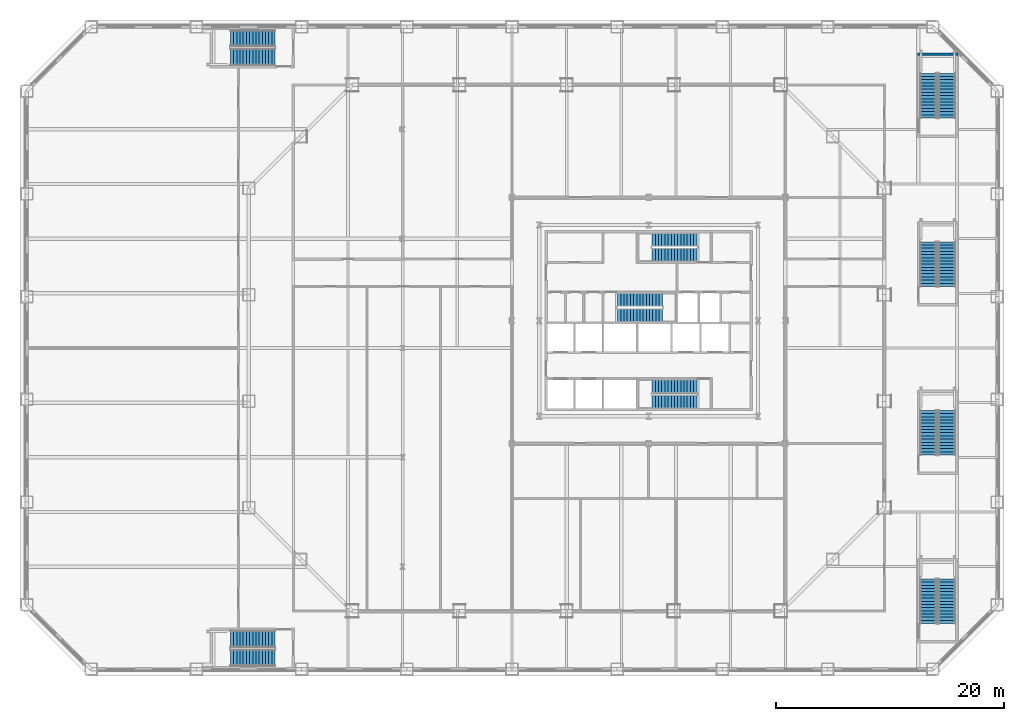
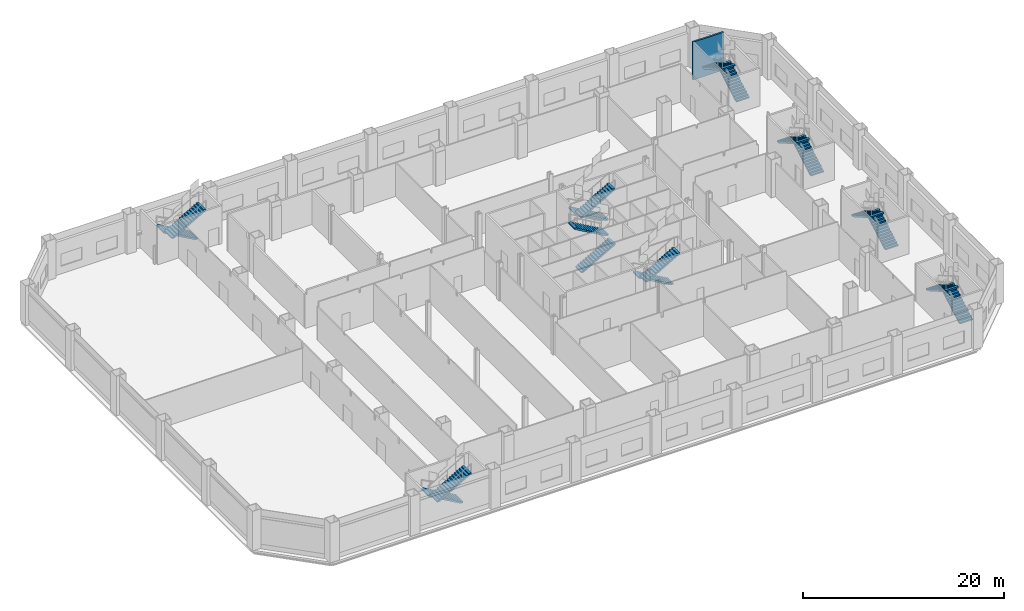
# One storey, part 19 of 25: 18 stair flights, 1 wall, 9 elements without a shape of their own.
"""IFC4 building model written with IfcOpenShell, lengths in metres."""

from ifc_helpers import new_model, si_unit, direction, frame, frame_2d, origin, place, context, subcontext, project, spatial, polyline, rectangle, outline, extrude, material, layer, layer_set, type_object, element, aggregate, save


model = new_model("IFC4")

# Units and contexts
model_context = context("Model", 3, precision=1e-05, world=origin(), true_north=direction((0.0, 1.0)))
body_context = subcontext(model_context, "Body", "Model", "MODEL_VIEW")
ifc_project = project(units=[si_unit("LENGTHUNIT", "METRE"), si_unit("AREAUNIT", "SQUARE_METRE"), si_unit("VOLUMEUNIT", "CUBIC_METRE"), si_unit("PLANEANGLEUNIT", "RADIAN"), si_unit("MASSUNIT", "GRAM", prefix="KILO")], contexts=[model_context])

# Site, building, storey
site_placement = place(None, origin())
site = spatial("IfcSite", under=ifc_project, at=site_placement, CompositionType="ELEMENT")
building_placement = place(site_placement, origin())
building = spatial("IfcBuilding", under=site, at=building_placement, Name="Cairn Pilgrim Tower", CompositionType="ELEMENT")
storey_placement = place(building_placement, frame((0.0, 0.0, 30.60009765625)))
storey = spatial("IfcBuildingStorey", under=building, at=storey_placement, Name="L05", CompositionType="ELEMENT", Elevation=30.60009765625)

# Wall
ifc_material_1 = material(Name="Concrete C35/45", Category="concrete")
ifc_layer = layer(ifc_material_1, 0.199951171875)
ifc_layer_set = layer_set([ifc_layer], Name="PODIUM STAIR WALL 200 EI 120")
wall_type = type_object("IfcWallType", Name="PODIUM STAIR WALL 200 EI 120", PredefinedType="SOLIDWALL", material=ifc_layer_set)
wall_placement = place(storey_placement, frame((30.800048828125, 25.800048828125, 0.0), z_axis=(0.0, 0.0, 1.0), x_axis=(1.0, 0.0, 0.0)))
element("IfcWall", 1, at=wall_placement, inside=storey, type_object=wall_type, Name="STAIR SHAFT WALL W077", PredefinedType="SOLIDWALL", context=body_context, shape_type="SweptSolid", body=[
    extrude(rectangle(XDim=3.550048828125, YDim=0.199951171875, at=frame_2d((1.77490234375, 0.0))), origin(), (0.0, 0.0, 1.0), 4.599853515625),
])

# Stair, stair flights
stair_type_1 = type_object("IfcStairType", Name="PODIUM EXIT STAIR 1500", PredefinedType="HALF_TURN_STAIR", material=ifc_material_1)
stair_1_placement = place(storey_placement, origin())
stair_1 = element("IfcStair", 2, at=stair_1_placement, inside=storey, type_object=stair_type_1, Name="L05 Exit Stair Hn", PredefinedType="HALF_TURN_STAIR")
stair_flight_type_1 = type_object("IfcStairFlightType", Name="PODIUM STAIR FLIGHT 1500", PredefinedType="STRAIGHT", material=ifc_material_1)
stair_flight_1_placement = place(storey_placement, frame((-25.60009765625, 27.199951171875, 0.0), z_axis=(0.0, 0.0, 1.0), x_axis=(-1.0, 0.0, 0.0)))
stair_flight_1 = element("IfcStairFlight", 3, at=stair_flight_1_placement, type_object=stair_flight_type_1, Name="ST-HN flight 1", NumberOfRisers=15, NumberOfTreads=14, PredefinedType="STRAIGHT", RiserHeight=0.16, TreadLength=0.28, context=body_context, shape_type="SweptSolid", body=[
    extrude(outline(polyline([(0.0, 0.0), (0.0, 0.159912109375), (0.280029296875, 0.159912109375), (0.280029296875, 0.320068359375), (0.56005859375, 0.320068359375), (0.56005859375, 0.47998046875), (0.840087890625, 0.47998046875), (0.840087890625, 0.639892578125), (1.1201171875, 0.639892578125), (1.1201171875, 0.800048828125), (1.39990234375, 0.800048828125), (1.39990234375, 0.9599609375), (1.679931640625, 0.9599609375), (1.679931640625, 1.1201171875), (1.9599609375, 1.1201171875), (1.9599609375, 1.280029296875), (2.239990234375, 1.280029296875), (2.239990234375, 1.43994140625), (2.52001953125, 1.43994140625), (2.52001953125, 1.60009765625), (2.800048828125, 1.60009765625), (2.800048828125, 1.760009765625), (3.080078125, 1.760009765625), (3.080078125, 1.919921875), (3.360107421875, 1.919921875), (3.360107421875, 2.080078125), (3.639892578125, 2.080078125), (3.639892578125, 2.239990234375), (3.919921875, 2.239990234375), (3.919921875, 2.39990234375), (3.919921875, 2.0673828125), (0.30224609375, 0.0), (0.0, 0.0)])), frame((0.0, 0.75, 0.0), z_axis=(0.0, -1.0, 0.0), x_axis=(1.0, 0.0, 0.0)), (0.0, 0.0, 1.0), 1.5),
])
stair_flight_2_placement = place(storey_placement, frame((-29.52001953125, 25.550048828125, 2.39990234375), z_axis=(0.0, 0.0, 1.0), x_axis=(1.0, 0.0, 0.0)))
stair_flight_2 = element("IfcStairFlight", 4, at=stair_flight_2_placement, type_object=stair_flight_type_1, Name="ST-HN flight 2", NumberOfRisers=15, NumberOfTreads=14, PredefinedType="STRAIGHT", RiserHeight=0.16, TreadLength=0.28, context=body_context, shape_type="SweptSolid", body=[
    extrude(outline(polyline([(0.0, 0.0), (0.0, 0.159912109375), (0.280029296875, 0.159912109375), (0.280029296875, 0.320068359375), (0.56005859375, 0.320068359375), (0.56005859375, 0.47998046875), (0.840087890625, 0.47998046875), (0.840087890625, 0.639892578125), (1.1201171875, 0.639892578125), (1.1201171875, 0.800048828125), (1.39990234375, 0.800048828125), (1.39990234375, 0.9599609375), (1.679931640625, 0.9599609375), (1.679931640625, 1.1201171875), (1.9599609375, 1.1201171875), (1.9599609375, 1.280029296875), (2.239990234375, 1.280029296875), (2.239990234375, 1.43994140625), (2.52001953125, 1.43994140625), (2.52001953125, 1.60009765625), (2.800048828125, 1.60009765625), (2.800048828125, 1.760009765625), (3.080078125, 1.760009765625), (3.080078125, 1.919921875), (3.360107421875, 1.919921875), (3.360107421875, 2.080078125), (3.639892578125, 2.080078125), (3.639892578125, 2.239990234375), (3.919921875, 2.239990234375), (3.919921875, 2.39990234375), (3.919921875, 2.0673828125), (0.30224609375, 0.0), (0.0, 0.0)])), frame((0.0, 0.75, 0.0), z_axis=(0.0, -1.0, 0.0), x_axis=(1.0, 0.0, 0.0)), (0.0, 0.0, 1.0), 1.5),
])
aggregate(stair_1, [stair_flight_1, stair_flight_2])

stair_2_placement = place(storey_placement, origin())
stair_2 = element("IfcStair", 5, at=stair_2_placement, inside=storey, type_object=stair_type_1, Name="L05 Exit Stair Hs", PredefinedType="HALF_TURN_STAIR")
stair_flight_3_placement = place(storey_placement, frame((-25.60009765625, -25.550048828125, 0.0), z_axis=(0.0, 0.0, 1.0), x_axis=(-1.0, 0.0, 0.0)))
stair_flight_3 = element("IfcStairFlight", 6, at=stair_flight_3_placement, type_object=stair_flight_type_1, Name="ST-HS flight 1", NumberOfRisers=15, NumberOfTreads=14, PredefinedType="STRAIGHT", RiserHeight=0.16, TreadLength=0.28, context=body_context, shape_type="SweptSolid", body=[
    extrude(outline(polyline([(0.0, 0.0), (0.0, 0.159912109375), (0.280029296875, 0.159912109375), (0.280029296875, 0.320068359375), (0.56005859375, 0.320068359375), (0.56005859375, 0.47998046875), (0.840087890625, 0.47998046875), (0.840087890625, 0.639892578125), (1.1201171875, 0.639892578125), (1.1201171875, 0.800048828125), (1.39990234375, 0.800048828125), (1.39990234375, 0.9599609375), (1.679931640625, 0.9599609375), (1.679931640625, 1.1201171875), (1.9599609375, 1.1201171875), (1.9599609375, 1.280029296875), (2.239990234375, 1.280029296875), (2.239990234375, 1.43994140625), (2.52001953125, 1.43994140625), (2.52001953125, 1.60009765625), (2.800048828125, 1.60009765625), (2.800048828125, 1.760009765625), (3.080078125, 1.760009765625), (3.080078125, 1.919921875), (3.360107421875, 1.919921875), (3.360107421875, 2.080078125), (3.639892578125, 2.080078125), (3.639892578125, 2.239990234375), (3.919921875, 2.239990234375), (3.919921875, 2.39990234375), (3.919921875, 2.0673828125), (0.30224609375, 0.0), (0.0, 0.0)])), frame((0.0, 0.75, 0.0), z_axis=(0.0, -1.0, 0.0), x_axis=(1.0, 0.0, 0.0)), (0.0, 0.0, 1.0), 1.5),
])
stair_flight_4_placement = place(storey_placement, frame((-29.52001953125, -27.199951171875, 2.39990234375), z_axis=(0.0, 0.0, 1.0), x_axis=(1.0, 0.0, 0.0)))
stair_flight_4 = element("IfcStairFlight", 7, at=stair_flight_4_placement, type_object=stair_flight_type_1, Name="ST-HS flight 2", NumberOfRisers=15, NumberOfTreads=14, PredefinedType="STRAIGHT", RiserHeight=0.16, TreadLength=0.28, context=body_context, shape_type="SweptSolid", body=[
    extrude(outline(polyline([(0.0, 0.0), (0.0, 0.159912109375), (0.280029296875, 0.159912109375), (0.280029296875, 0.320068359375), (0.56005859375, 0.320068359375), (0.56005859375, 0.47998046875), (0.840087890625, 0.47998046875), (0.840087890625, 0.639892578125), (1.1201171875, 0.639892578125), (1.1201171875, 0.800048828125), (1.39990234375, 0.800048828125), (1.39990234375, 0.9599609375), (1.679931640625, 0.9599609375), (1.679931640625, 1.1201171875), (1.9599609375, 1.1201171875), (1.9599609375, 1.280029296875), (2.239990234375, 1.280029296875), (2.239990234375, 1.43994140625), (2.52001953125, 1.43994140625), (2.52001953125, 1.60009765625), (2.800048828125, 1.60009765625), (2.800048828125, 1.760009765625), (3.080078125, 1.760009765625), (3.080078125, 1.919921875), (3.360107421875, 1.919921875), (3.360107421875, 2.080078125), (3.639892578125, 2.080078125), (3.639892578125, 2.239990234375), (3.919921875, 2.239990234375), (3.919921875, 2.39990234375), (3.919921875, 2.0673828125), (0.30224609375, 0.0), (0.0, 0.0)])), frame((0.0, 0.75, 0.0), z_axis=(0.0, -1.0, 0.0), x_axis=(1.0, 0.0, 0.0)), (0.0, 0.0, 1.0), 1.5),
])
aggregate(stair_2, [stair_flight_3, stair_flight_4])

stair_3_placement = place(storey_placement, origin())
stair_3 = element("IfcStair", 8, at=stair_3_placement, inside=storey, type_object=stair_type_1, Name="L05 Exit Stair Es1", PredefinedType="HALF_TURN_STAIR")
stair_flight_5_placement = place(storey_placement, frame((33.39990234375, -24.199951171875, 0.0), z_axis=(0.0, 0.0, 1.0), x_axis=(0.0, 1.0, 0.0)))
stair_flight_5 = element("IfcStairFlight", 9, at=stair_flight_5_placement, type_object=stair_flight_type_1, Name="ST-ES1 flight 1", NumberOfRisers=15, NumberOfTreads=14, PredefinedType="STRAIGHT", RiserHeight=0.16, TreadLength=0.28, context=body_context, shape_type="SweptSolid", body=[
    extrude(outline(polyline([(0.0, 0.0), (0.0, 0.159912109375), (0.280029296875, 0.159912109375), (0.280029296875, 0.320068359375), (0.56005859375, 0.320068359375), (0.56005859375, 0.47998046875), (0.840087890625, 0.47998046875), (0.840087890625, 0.639892578125), (1.1201171875, 0.639892578125), (1.1201171875, 0.800048828125), (1.39990234375, 0.800048828125), (1.39990234375, 0.9599609375), (1.679931640625, 0.9599609375), (1.679931640625, 1.1201171875), (1.9599609375, 1.1201171875), (1.9599609375, 1.280029296875), (2.239990234375, 1.280029296875), (2.239990234375, 1.43994140625), (2.52001953125, 1.43994140625), (2.52001953125, 1.60009765625), (2.800048828125, 1.60009765625), (2.800048828125, 1.760009765625), (3.080078125, 1.760009765625), (3.080078125, 1.919921875), (3.360107421875, 1.919921875), (3.360107421875, 2.080078125), (3.639892578125, 2.080078125), (3.639892578125, 2.239990234375), (3.919921875, 2.239990234375), (3.919921875, 2.39990234375), (3.919921875, 2.0673828125), (0.30224609375, 0.0), (0.0, 0.0)])), frame((0.0, 0.75, 0.0), z_axis=(0.0, -1.0, 0.0), x_axis=(1.0, 0.0, 0.0)), (0.0, 0.0, 1.0), 1.5),
])
stair_flight_6_placement = place(storey_placement, frame((31.75, -20.280029296875, 2.39990234375), z_axis=(0.0, 0.0, 1.0), x_axis=(0.0, -1.0, 0.0)))
stair_flight_6 = element("IfcStairFlight", 10, at=stair_flight_6_placement, type_object=stair_flight_type_1, Name="ST-ES1 flight 2", NumberOfRisers=15, NumberOfTreads=14, PredefinedType="STRAIGHT", RiserHeight=0.16, TreadLength=0.28, context=body_context, shape_type="SweptSolid", body=[
    extrude(outline(polyline([(0.0, 0.0), (0.0, 0.159912109375), (0.280029296875, 0.159912109375), (0.280029296875, 0.320068359375), (0.56005859375, 0.320068359375), (0.56005859375, 0.47998046875), (0.840087890625, 0.47998046875), (0.840087890625, 0.639892578125), (1.1201171875, 0.639892578125), (1.1201171875, 0.800048828125), (1.39990234375, 0.800048828125), (1.39990234375, 0.9599609375), (1.679931640625, 0.9599609375), (1.679931640625, 1.1201171875), (1.9599609375, 1.1201171875), (1.9599609375, 1.280029296875), (2.239990234375, 1.280029296875), (2.239990234375, 1.43994140625), (2.52001953125, 1.43994140625), (2.52001953125, 1.60009765625), (2.800048828125, 1.60009765625), (2.800048828125, 1.760009765625), (3.080078125, 1.760009765625), (3.080078125, 1.919921875), (3.360107421875, 1.919921875), (3.360107421875, 2.080078125), (3.639892578125, 2.080078125), (3.639892578125, 2.239990234375), (3.919921875, 2.239990234375), (3.919921875, 2.39990234375), (3.919921875, 2.0673828125), (0.30224609375, 0.0), (0.0, 0.0)])), frame((0.0, 0.75, 0.0), z_axis=(0.0, -1.0, 0.0), x_axis=(1.0, 0.0, 0.0)), (0.0, 0.0, 1.0), 1.5),
])
aggregate(stair_3, [stair_flight_5, stair_flight_6])

stair_4_placement = place(storey_placement, origin())
stair_4 = element("IfcStair", 11, at=stair_4_placement, inside=storey, type_object=stair_type_1, Name="L05 Exit Stair Es2", PredefinedType="HALF_TURN_STAIR")
stair_flight_7_placement = place(storey_placement, frame((33.39990234375, -9.39990234375, 0.0), z_axis=(0.0, 0.0, 1.0), x_axis=(0.0, 1.0, 0.0)))
stair_flight_7 = element("IfcStairFlight", 12, at=stair_flight_7_placement, type_object=stair_flight_type_1, Name="ST-ES2 flight 1", NumberOfRisers=15, NumberOfTreads=14, PredefinedType="STRAIGHT", RiserHeight=0.16, TreadLength=0.28, context=body_context, shape_type="SweptSolid", body=[
    extrude(outline(polyline([(0.0, 0.0), (0.0, 0.159912109375), (0.280029296875, 0.159912109375), (0.280029296875, 0.320068359375), (0.56005859375, 0.320068359375), (0.56005859375, 0.47998046875), (0.840087890625, 0.47998046875), (0.840087890625, 0.639892578125), (1.1201171875, 0.639892578125), (1.1201171875, 0.800048828125), (1.39990234375, 0.800048828125), (1.39990234375, 0.9599609375), (1.679931640625, 0.9599609375), (1.679931640625, 1.1201171875), (1.9599609375, 1.1201171875), (1.9599609375, 1.280029296875), (2.239990234375, 1.280029296875), (2.239990234375, 1.43994140625), (2.52001953125, 1.43994140625), (2.52001953125, 1.60009765625), (2.800048828125, 1.60009765625), (2.800048828125, 1.760009765625), (3.080078125, 1.760009765625), (3.080078125, 1.919921875), (3.360107421875, 1.919921875), (3.360107421875, 2.080078125), (3.639892578125, 2.080078125), (3.639892578125, 2.239990234375), (3.919921875, 2.239990234375), (3.919921875, 2.39990234375), (3.919921875, 2.0673828125), (0.30224609375, 0.0), (0.0, 0.0)])), frame((0.0, 0.75, 0.0), z_axis=(0.0, -1.0, 0.0), x_axis=(1.0, 0.0, 0.0)), (0.0, 0.0, 1.0), 1.5),
])
stair_flight_8_placement = place(storey_placement, frame((31.75, -5.47998046875, 2.39990234375), z_axis=(0.0, 0.0, 1.0), x_axis=(0.0, -1.0, 0.0)))
stair_flight_8 = element("IfcStairFlight", 13, at=stair_flight_8_placement, type_object=stair_flight_type_1, Name="ST-ES2 flight 2", NumberOfRisers=15, NumberOfTreads=14, PredefinedType="STRAIGHT", RiserHeight=0.16, TreadLength=0.28, context=body_context, shape_type="SweptSolid", body=[
    extrude(outline(polyline([(0.0, 0.0), (0.0, 0.159912109375), (0.280029296875, 0.159912109375), (0.280029296875, 0.320068359375), (0.56005859375, 0.320068359375), (0.56005859375, 0.47998046875), (0.840087890625, 0.47998046875), (0.840087890625, 0.639892578125), (1.1201171875, 0.639892578125), (1.1201171875, 0.800048828125), (1.39990234375, 0.800048828125), (1.39990234375, 0.9599609375), (1.679931640625, 0.9599609375), (1.679931640625, 1.1201171875), (1.9599609375, 1.1201171875), (1.9599609375, 1.280029296875), (2.239990234375, 1.280029296875), (2.239990234375, 1.43994140625), (2.52001953125, 1.43994140625), (2.52001953125, 1.60009765625), (2.800048828125, 1.60009765625), (2.800048828125, 1.760009765625), (3.080078125, 1.760009765625), (3.080078125, 1.919921875), (3.360107421875, 1.919921875), (3.360107421875, 2.080078125), (3.639892578125, 2.080078125), (3.639892578125, 2.239990234375), (3.919921875, 2.239990234375), (3.919921875, 2.39990234375), (3.919921875, 2.0673828125), (0.30224609375, 0.0), (0.0, 0.0)])), frame((0.0, 0.75, 0.0), z_axis=(0.0, -1.0, 0.0), x_axis=(1.0, 0.0, 0.0)), (0.0, 0.0, 1.0), 1.5),
])
aggregate(stair_4, [stair_flight_7, stair_flight_8])

stair_5_placement = place(storey_placement, origin())
stair_5 = element("IfcStair", 14, at=stair_5_placement, inside=storey, type_object=stair_type_1, Name="L05 Exit Stair Es3", PredefinedType="HALF_TURN_STAIR")
stair_flight_9_placement = place(storey_placement, frame((33.39990234375, 5.39990234375, 0.0), z_axis=(0.0, 0.0, 1.0), x_axis=(0.0, 1.0, 0.0)))
stair_flight_9 = element("IfcStairFlight", 15, at=stair_flight_9_placement, type_object=stair_flight_type_1, Name="ST-ES3 flight 1", NumberOfRisers=15, NumberOfTreads=14, PredefinedType="STRAIGHT", RiserHeight=0.16, TreadLength=0.28, context=body_context, shape_type="SweptSolid", body=[
    extrude(outline(polyline([(0.0, 0.0), (0.0, 0.159912109375), (0.280029296875, 0.159912109375), (0.280029296875, 0.320068359375), (0.56005859375, 0.320068359375), (0.56005859375, 0.47998046875), (0.840087890625, 0.47998046875), (0.840087890625, 0.639892578125), (1.1201171875, 0.639892578125), (1.1201171875, 0.800048828125), (1.39990234375, 0.800048828125), (1.39990234375, 0.9599609375), (1.679931640625, 0.9599609375), (1.679931640625, 1.1201171875), (1.9599609375, 1.1201171875), (1.9599609375, 1.280029296875), (2.239990234375, 1.280029296875), (2.239990234375, 1.43994140625), (2.52001953125, 1.43994140625), (2.52001953125, 1.60009765625), (2.800048828125, 1.60009765625), (2.800048828125, 1.760009765625), (3.080078125, 1.760009765625), (3.080078125, 1.919921875), (3.360107421875, 1.919921875), (3.360107421875, 2.080078125), (3.639892578125, 2.080078125), (3.639892578125, 2.239990234375), (3.919921875, 2.239990234375), (3.919921875, 2.39990234375), (3.919921875, 2.0673828125), (0.30224609375, 0.0), (0.0, 0.0)])), frame((0.0, 0.75, 0.0), z_axis=(0.0, -1.0, 0.0), x_axis=(1.0, 0.0, 0.0)), (0.0, 0.0, 1.0), 1.5),
])
stair_flight_10_placement = place(storey_placement, frame((31.75, 9.320068359375, 2.39990234375), z_axis=(0.0, 0.0, 1.0), x_axis=(0.0, -1.0, 0.0)))
stair_flight_10 = element("IfcStairFlight", 16, at=stair_flight_10_placement, type_object=stair_flight_type_1, Name="ST-ES3 flight 2", NumberOfRisers=15, NumberOfTreads=14, PredefinedType="STRAIGHT", RiserHeight=0.16, TreadLength=0.28, context=body_context, shape_type="SweptSolid", body=[
    extrude(outline(polyline([(0.0, 0.0), (0.0, 0.159912109375), (0.280029296875, 0.159912109375), (0.280029296875, 0.320068359375), (0.56005859375, 0.320068359375), (0.56005859375, 0.47998046875), (0.840087890625, 0.47998046875), (0.840087890625, 0.639892578125), (1.1201171875, 0.639892578125), (1.1201171875, 0.800048828125), (1.39990234375, 0.800048828125), (1.39990234375, 0.9599609375), (1.679931640625, 0.9599609375), (1.679931640625, 1.1201171875), (1.9599609375, 1.1201171875), (1.9599609375, 1.280029296875), (2.239990234375, 1.280029296875), (2.239990234375, 1.43994140625), (2.52001953125, 1.43994140625), (2.52001953125, 1.60009765625), (2.800048828125, 1.60009765625), (2.800048828125, 1.760009765625), (3.080078125, 1.760009765625), (3.080078125, 1.919921875), (3.360107421875, 1.919921875), (3.360107421875, 2.080078125), (3.639892578125, 2.080078125), (3.639892578125, 2.239990234375), (3.919921875, 2.239990234375), (3.919921875, 2.39990234375), (3.919921875, 2.0673828125), (0.30224609375, 0.0), (0.0, 0.0)])), frame((0.0, 0.75, 0.0), z_axis=(0.0, -1.0, 0.0), x_axis=(1.0, 0.0, 0.0)), (0.0, 0.0, 1.0), 1.5),
])
aggregate(stair_5, [stair_flight_9, stair_flight_10])

stair_6_placement = place(storey_placement, origin())
stair_6 = element("IfcStair", 17, at=stair_6_placement, inside=storey, type_object=stair_type_1, Name="L05 Exit Stair Es4", PredefinedType="HALF_TURN_STAIR")
stair_flight_11_placement = place(storey_placement, frame((33.39990234375, 20.199951171875, 0.0), z_axis=(0.0, 0.0, 1.0), x_axis=(0.0, 1.0, 0.0)))
stair_flight_11 = element("IfcStairFlight", 18, at=stair_flight_11_placement, type_object=stair_flight_type_1, Name="ST-ES4 flight 1", NumberOfRisers=15, NumberOfTreads=14, PredefinedType="STRAIGHT", RiserHeight=0.16, TreadLength=0.28, context=body_context, shape_type="SweptSolid", body=[
    extrude(outline(polyline([(0.0, 0.0), (0.0, 0.159912109375), (0.280029296875, 0.159912109375), (0.280029296875, 0.320068359375), (0.56005859375, 0.320068359375), (0.56005859375, 0.47998046875), (0.840087890625, 0.47998046875), (0.840087890625, 0.639892578125), (1.1201171875, 0.639892578125), (1.1201171875, 0.800048828125), (1.39990234375, 0.800048828125), (1.39990234375, 0.9599609375), (1.679931640625, 0.9599609375), (1.679931640625, 1.1201171875), (1.9599609375, 1.1201171875), (1.9599609375, 1.280029296875), (2.239990234375, 1.280029296875), (2.239990234375, 1.43994140625), (2.52001953125, 1.43994140625), (2.52001953125, 1.60009765625), (2.800048828125, 1.60009765625), (2.800048828125, 1.760009765625), (3.080078125, 1.760009765625), (3.080078125, 1.919921875), (3.360107421875, 1.919921875), (3.360107421875, 2.080078125), (3.639892578125, 2.080078125), (3.639892578125, 2.239990234375), (3.919921875, 2.239990234375), (3.919921875, 2.39990234375), (3.919921875, 2.0673828125), (0.30224609375, 0.0), (0.0, 0.0)])), frame((0.0, 0.75, 0.0), z_axis=(0.0, -1.0, 0.0), x_axis=(1.0, 0.0, 0.0)), (0.0, 0.0, 1.0), 1.5),
])
stair_flight_12_placement = place(storey_placement, frame((31.75, 24.1201171875, 2.39990234375), z_axis=(0.0, 0.0, 1.0), x_axis=(0.0, -1.0, 0.0)))
stair_flight_12 = element("IfcStairFlight", 19, at=stair_flight_12_placement, type_object=stair_flight_type_1, Name="ST-ES4 flight 2", NumberOfRisers=15, NumberOfTreads=14, PredefinedType="STRAIGHT", RiserHeight=0.16, TreadLength=0.28, context=body_context, shape_type="SweptSolid", body=[
    extrude(outline(polyline([(0.0, 0.0), (0.0, 0.159912109375), (0.280029296875, 0.159912109375), (0.280029296875, 0.320068359375), (0.56005859375, 0.320068359375), (0.56005859375, 0.47998046875), (0.840087890625, 0.47998046875), (0.840087890625, 0.639892578125), (1.1201171875, 0.639892578125), (1.1201171875, 0.800048828125), (1.39990234375, 0.800048828125), (1.39990234375, 0.9599609375), (1.679931640625, 0.9599609375), (1.679931640625, 1.1201171875), (1.9599609375, 1.1201171875), (1.9599609375, 1.280029296875), (2.239990234375, 1.280029296875), (2.239990234375, 1.43994140625), (2.52001953125, 1.43994140625), (2.52001953125, 1.60009765625), (2.800048828125, 1.60009765625), (2.800048828125, 1.760009765625), (3.080078125, 1.760009765625), (3.080078125, 1.919921875), (3.360107421875, 1.919921875), (3.360107421875, 2.080078125), (3.639892578125, 2.080078125), (3.639892578125, 2.239990234375), (3.919921875, 2.239990234375), (3.919921875, 2.39990234375), (3.919921875, 2.0673828125), (0.30224609375, 0.0), (0.0, 0.0)])), frame((0.0, 0.75, 0.0), z_axis=(0.0, -1.0, 0.0), x_axis=(1.0, 0.0, 0.0)), (0.0, 0.0, 1.0), 1.5),
])
aggregate(stair_6, [stair_flight_11, stair_flight_12])

ifc_material_2 = material(Name="Concrete C32/40", Category="concrete")
stair_type_2 = type_object("IfcStairType", Name="EXIT STAIR 1200", PredefinedType="HALF_TURN_STAIR", material=ifc_material_2)
stair_7_placement = place(storey_placement, origin())
stair_7 = element("IfcStair", 20, at=stair_7_placement, inside=storey, type_object=stair_type_2, Name="L05 Exit Stair A", PredefinedType="HALF_TURN_STAIR")
stair_flight_type_2 = type_object("IfcStairFlightType", Name="STAIR FLIGHT 1200", PredefinedType="STRAIGHT", material=ifc_material_2)
stair_flight_13_placement = place(storey_placement, frame((11.425048828125, -3.375, 0.0), z_axis=(0.0, 0.0, 1.0), x_axis=(-1.0, 0.0, 0.0)))
stair_flight_13 = element("IfcStairFlight", 21, at=stair_flight_13_placement, type_object=stair_flight_type_2, Name="ST-A flight 1", NumberOfRisers=15, NumberOfTreads=14, PredefinedType="STRAIGHT", RiserHeight=0.16, TreadLength=0.28, context=body_context, shape_type="SweptSolid", body=[
    extrude(outline(polyline([(0.0, 0.0), (0.0, 0.159912109375), (0.280029296875, 0.159912109375), (0.280029296875, 0.320068359375), (0.56005859375, 0.320068359375), (0.56005859375, 0.47998046875), (0.840087890625, 0.47998046875), (0.840087890625, 0.639892578125), (1.1201171875, 0.639892578125), (1.1201171875, 0.800048828125), (1.39990234375, 0.800048828125), (1.39990234375, 0.9599609375), (1.679931640625, 0.9599609375), (1.679931640625, 1.1201171875), (1.9599609375, 1.1201171875), (1.9599609375, 1.280029296875), (2.239990234375, 1.280029296875), (2.239990234375, 1.43994140625), (2.52001953125, 1.43994140625), (2.52001953125, 1.60009765625), (2.800048828125, 1.60009765625), (2.800048828125, 1.760009765625), (3.080078125, 1.760009765625), (3.080078125, 1.919921875), (3.360107421875, 1.919921875), (3.360107421875, 2.080078125), (3.639892578125, 2.080078125), (3.639892578125, 2.239990234375), (3.919921875, 2.239990234375), (3.919921875, 2.39990234375), (3.919921875, 2.0673828125), (0.30224609375, 0.0), (0.0, 0.0)])), frame((0.0, 0.60009765625, 0.0), z_axis=(0.0, -1.0, 0.0), x_axis=(1.0, 0.0, 0.0)), (0.0, 0.0, 1.0), 1.199951171875),
])
stair_flight_14_placement = place(storey_placement, frame((7.5048828125, -4.699951171875, 2.39990234375), z_axis=(0.0, 0.0, 1.0), x_axis=(1.0, 0.0, 0.0)))
stair_flight_14 = element("IfcStairFlight", 22, at=stair_flight_14_placement, type_object=stair_flight_type_2, Name="ST-A flight 2", NumberOfRisers=15, NumberOfTreads=14, PredefinedType="STRAIGHT", RiserHeight=0.16, TreadLength=0.28, context=body_context, shape_type="SweptSolid", body=[
    extrude(outline(polyline([(0.0, 0.0), (0.0, 0.159912109375), (0.280029296875, 0.159912109375), (0.280029296875, 0.320068359375), (0.56005859375, 0.320068359375), (0.56005859375, 0.47998046875), (0.840087890625, 0.47998046875), (0.840087890625, 0.639892578125), (1.1201171875, 0.639892578125), (1.1201171875, 0.800048828125), (1.39990234375, 0.800048828125), (1.39990234375, 0.9599609375), (1.679931640625, 0.9599609375), (1.679931640625, 1.1201171875), (1.9599609375, 1.1201171875), (1.9599609375, 1.280029296875), (2.239990234375, 1.280029296875), (2.239990234375, 1.43994140625), (2.52001953125, 1.43994140625), (2.52001953125, 1.60009765625), (2.800048828125, 1.60009765625), (2.800048828125, 1.760009765625), (3.080078125, 1.760009765625), (3.080078125, 1.919921875), (3.360107421875, 1.919921875), (3.360107421875, 2.080078125), (3.639892578125, 2.080078125), (3.639892578125, 2.239990234375), (3.919921875, 2.239990234375), (3.919921875, 2.39990234375), (3.919921875, 2.0673828125), (0.30224609375, 0.0), (0.0, 0.0)])), frame((0.0, 0.60009765625, 0.0), z_axis=(0.0, -1.0, 0.0), x_axis=(1.0, 0.0, 0.0)), (0.0, 0.0, 1.0), 1.199951171875),
])
aggregate(stair_7, [stair_flight_13, stair_flight_14])

stair_8_placement = place(storey_placement, origin())
stair_8 = element("IfcStair", 23, at=stair_8_placement, inside=storey, type_object=stair_type_2, Name="L05 Exit Stair B", PredefinedType="HALF_TURN_STAIR")
stair_flight_15_placement = place(storey_placement, frame((4.47509765625, 2.875, 0.0), z_axis=(0.0, 0.0, 1.0), x_axis=(1.0, 0.0, 0.0)))
stair_flight_15 = element("IfcStairFlight", 24, at=stair_flight_15_placement, type_object=stair_flight_type_2, Name="ST-B flight 1", NumberOfRisers=15, NumberOfTreads=14, PredefinedType="STRAIGHT", RiserHeight=0.16, TreadLength=0.28, context=body_context, shape_type="SweptSolid", body=[
    extrude(outline(polyline([(0.0, 0.0), (0.0, 0.159912109375), (0.280029296875, 0.159912109375), (0.280029296875, 0.320068359375), (0.56005859375, 0.320068359375), (0.56005859375, 0.47998046875), (0.840087890625, 0.47998046875), (0.840087890625, 0.639892578125), (1.1201171875, 0.639892578125), (1.1201171875, 0.800048828125), (1.39990234375, 0.800048828125), (1.39990234375, 0.9599609375), (1.679931640625, 0.9599609375), (1.679931640625, 1.1201171875), (1.9599609375, 1.1201171875), (1.9599609375, 1.280029296875), (2.239990234375, 1.280029296875), (2.239990234375, 1.43994140625), (2.52001953125, 1.43994140625), (2.52001953125, 1.60009765625), (2.800048828125, 1.60009765625), (2.800048828125, 1.760009765625), (3.080078125, 1.760009765625), (3.080078125, 1.919921875), (3.360107421875, 1.919921875), (3.360107421875, 2.080078125), (3.639892578125, 2.080078125), (3.639892578125, 2.239990234375), (3.919921875, 2.239990234375), (3.919921875, 2.39990234375), (3.919921875, 2.0673828125), (0.30224609375, 0.0), (0.0, 0.0)])), frame((0.0, 0.60009765625, 0.0), z_axis=(0.0, -1.0, 0.0), x_axis=(1.0, 0.0, 0.0)), (0.0, 0.0, 1.0), 1.199951171875),
])
stair_flight_16_placement = place(storey_placement, frame((8.39501953125, 4.22509765625, 2.39990234375), z_axis=(0.0, 0.0, 1.0), x_axis=(-1.0, 0.0, 0.0)))
stair_flight_16 = element("IfcStairFlight", 25, at=stair_flight_16_placement, type_object=stair_flight_type_2, Name="ST-B flight 2", NumberOfRisers=15, NumberOfTreads=14, PredefinedType="STRAIGHT", RiserHeight=0.16, TreadLength=0.28, context=body_context, shape_type="SweptSolid", body=[
    extrude(outline(polyline([(0.0, 0.0), (0.0, 0.159912109375), (0.280029296875, 0.159912109375), (0.280029296875, 0.320068359375), (0.56005859375, 0.320068359375), (0.56005859375, 0.47998046875), (0.840087890625, 0.47998046875), (0.840087890625, 0.639892578125), (1.1201171875, 0.639892578125), (1.1201171875, 0.800048828125), (1.39990234375, 0.800048828125), (1.39990234375, 0.9599609375), (1.679931640625, 0.9599609375), (1.679931640625, 1.1201171875), (1.9599609375, 1.1201171875), (1.9599609375, 1.280029296875), (2.239990234375, 1.280029296875), (2.239990234375, 1.43994140625), (2.52001953125, 1.43994140625), (2.52001953125, 1.60009765625), (2.800048828125, 1.60009765625), (2.800048828125, 1.760009765625), (3.080078125, 1.760009765625), (3.080078125, 1.919921875), (3.360107421875, 1.919921875), (3.360107421875, 2.080078125), (3.639892578125, 2.080078125), (3.639892578125, 2.239990234375), (3.919921875, 2.239990234375), (3.919921875, 2.39990234375), (3.919921875, 2.0673828125), (0.30224609375, 0.0), (0.0, 0.0)])), frame((0.0, 0.60009765625, 0.0), z_axis=(0.0, -1.0, 0.0), x_axis=(1.0, 0.0, 0.0)), (0.0, 0.0, 1.0), 1.199951171875),
])
aggregate(stair_8, [stair_flight_15, stair_flight_16])

stair_9_placement = place(storey_placement, origin())
stair_9 = element("IfcStair", 26, at=stair_9_placement, inside=storey, type_object=stair_type_2, Name="L05 Exit Stair C", PredefinedType="HALF_TURN_STAIR")
stair_flight_17_placement = place(storey_placement, frame((11.425048828125, 9.5, 0.0), z_axis=(0.0, 0.0, 1.0), x_axis=(-1.0, 0.0, 0.0)))
stair_flight_17 = element("IfcStairFlight", 27, at=stair_flight_17_placement, type_object=stair_flight_type_2, Name="ST-C flight 1", NumberOfRisers=15, NumberOfTreads=14, PredefinedType="STRAIGHT", RiserHeight=0.16, TreadLength=0.28, context=body_context, shape_type="SweptSolid", body=[
    extrude(outline(polyline([(0.0, 0.0), (0.0, 0.159912109375), (0.280029296875, 0.159912109375), (0.280029296875, 0.320068359375), (0.56005859375, 0.320068359375), (0.56005859375, 0.47998046875), (0.840087890625, 0.47998046875), (0.840087890625, 0.639892578125), (1.1201171875, 0.639892578125), (1.1201171875, 0.800048828125), (1.39990234375, 0.800048828125), (1.39990234375, 0.9599609375), (1.679931640625, 0.9599609375), (1.679931640625, 1.1201171875), (1.9599609375, 1.1201171875), (1.9599609375, 1.280029296875), (2.239990234375, 1.280029296875), (2.239990234375, 1.43994140625), (2.52001953125, 1.43994140625), (2.52001953125, 1.60009765625), (2.800048828125, 1.60009765625), (2.800048828125, 1.760009765625), (3.080078125, 1.760009765625), (3.080078125, 1.919921875), (3.360107421875, 1.919921875), (3.360107421875, 2.080078125), (3.639892578125, 2.080078125), (3.639892578125, 2.239990234375), (3.919921875, 2.239990234375), (3.919921875, 2.39990234375), (3.919921875, 2.0673828125), (0.30224609375, 0.0), (0.0, 0.0)])), frame((0.0, 0.60009765625, 0.0), z_axis=(0.0, -1.0, 0.0), x_axis=(1.0, 0.0, 0.0)), (0.0, 0.0, 1.0), 1.199951171875),
])
stair_flight_18_placement = place(storey_placement, frame((7.5048828125, 8.175048828125, 2.39990234375), z_axis=(0.0, 0.0, 1.0), x_axis=(1.0, 0.0, 0.0)))
stair_flight_18 = element("IfcStairFlight", 28, at=stair_flight_18_placement, type_object=stair_flight_type_2, Name="ST-C flight 2", NumberOfRisers=15, NumberOfTreads=14, PredefinedType="STRAIGHT", RiserHeight=0.16, TreadLength=0.28, context=body_context, shape_type="SweptSolid", body=[
    extrude(outline(polyline([(0.0, 0.0), (0.0, 0.159912109375), (0.280029296875, 0.159912109375), (0.280029296875, 0.320068359375), (0.56005859375, 0.320068359375), (0.56005859375, 0.47998046875), (0.840087890625, 0.47998046875), (0.840087890625, 0.639892578125), (1.1201171875, 0.639892578125), (1.1201171875, 0.800048828125), (1.39990234375, 0.800048828125), (1.39990234375, 0.9599609375), (1.679931640625, 0.9599609375), (1.679931640625, 1.1201171875), (1.9599609375, 1.1201171875), (1.9599609375, 1.280029296875), (2.239990234375, 1.280029296875), (2.239990234375, 1.43994140625), (2.52001953125, 1.43994140625), (2.52001953125, 1.60009765625), (2.800048828125, 1.60009765625), (2.800048828125, 1.760009765625), (3.080078125, 1.760009765625), (3.080078125, 1.919921875), (3.360107421875, 1.919921875), (3.360107421875, 2.080078125), (3.639892578125, 2.080078125), (3.639892578125, 2.239990234375), (3.919921875, 2.239990234375), (3.919921875, 2.39990234375), (3.919921875, 2.0673828125), (0.30224609375, 0.0), (0.0, 0.0)])), frame((0.0, 0.60009765625, 0.0), z_axis=(0.0, -1.0, 0.0), x_axis=(1.0, 0.0, 0.0)), (0.0, 0.0, 1.0), 1.199951171875),
])
aggregate(stair_9, [stair_flight_17, stair_flight_18])

save(model, "model.ifc")
